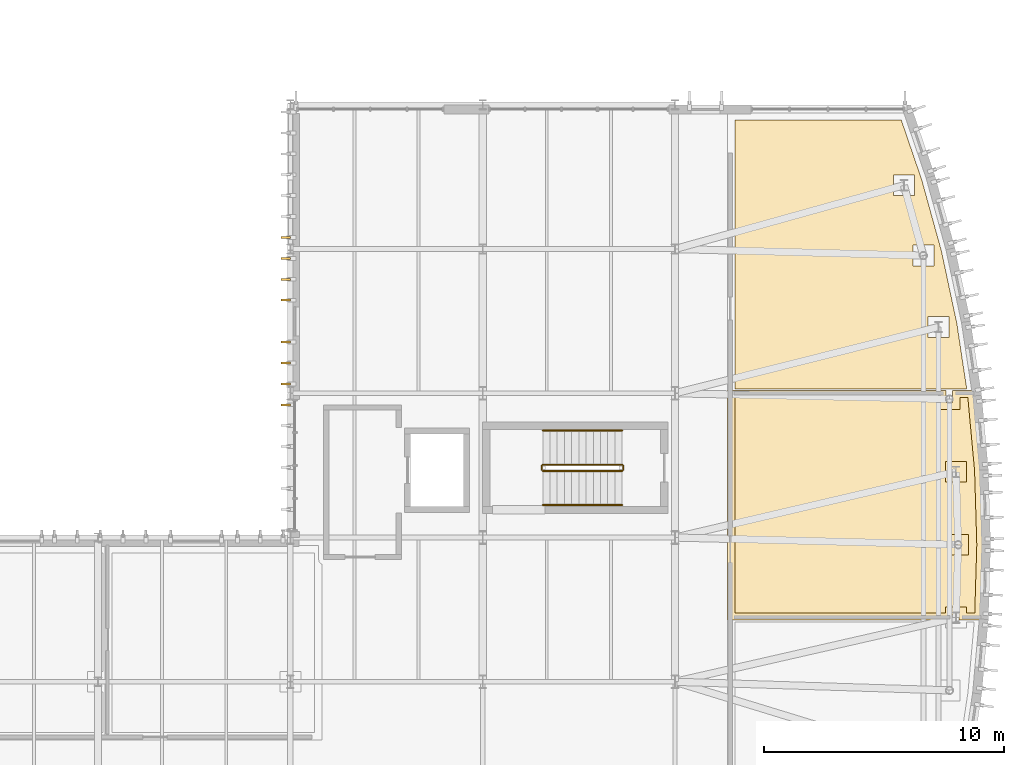
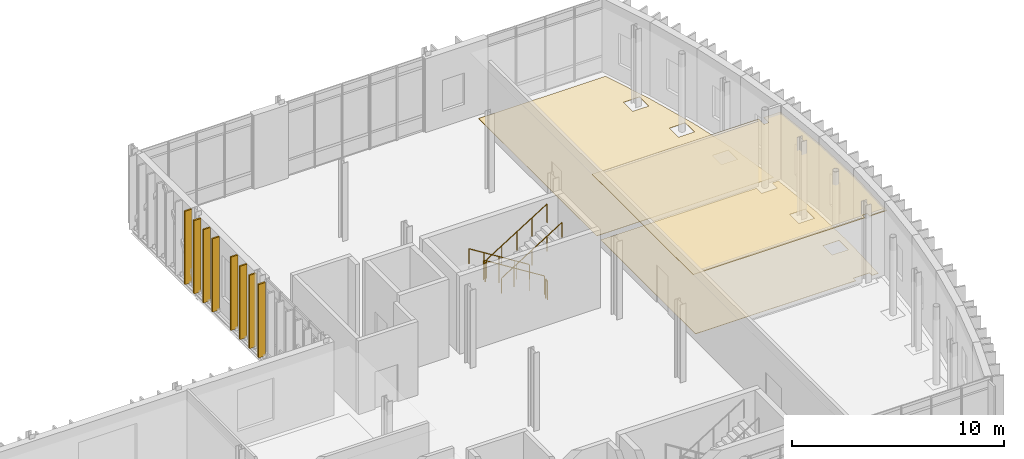
# One storey, part 99 of 100: 11 coverings, 6 railings.
"""IFC4 building model written with IfcOpenShell, lengths in metres."""

from ifc_helpers import new_model, si_unit, direction, frame, origin, origin_2d, place, context, subcontext, project, spatial, polyline, rectangle, circle, outline, extrude, material, layer, layer_set, type_object, element, save


model = new_model("IFC4")

# Units and contexts
model_context = context("Model", 3, precision=1e-05, world=origin(), true_north=direction((0.0, 1.0)))
body_context = subcontext(model_context, "Body", "Model", "MODEL_VIEW")
ifc_project = project(units=[si_unit("LENGTHUNIT", "METRE"), si_unit("AREAUNIT", "SQUARE_METRE"), si_unit("VOLUMEUNIT", "CUBIC_METRE"), si_unit("PLANEANGLEUNIT", "RADIAN"), si_unit("MASSUNIT", "GRAM", prefix="KILO")], contexts=[model_context])

# Site, building, storey
site_placement = place(None, origin())
site = spatial("IfcSite", under=ifc_project, at=site_placement, CompositionType="ELEMENT")
building_placement = place(site_placement, origin())
building = spatial("IfcBuilding", under=site, at=building_placement, Name="Cymarion Research Institute", CompositionType="ELEMENT")
storey_placement = place(building_placement, frame((0.0, 0.0, 9.300048828125)))
storey = spatial("IfcBuildingStorey", under=building, at=storey_placement, Name="L02", CompositionType="ELEMENT", Elevation=9.300048828125)

# Coverings
ifc_material_1 = material(Name="Micro-perforated mineral acoustic ceiling tile", Category="gypsum")
ifc_layer_1 = layer(ifc_material_1, 0.030029296875)
ifc_layer_set_1 = layer_set([ifc_layer_1], Name="Micro-perforated mineral acoustic ceiling tile")
covering_type_1 = type_object("IfcCoveringType", Name="ACOUSTIC MICRO-PERFORATED SUSPENDED CEILING CLG-01", PredefinedType="CEILING", material=ifc_layer_set_1)
covering_1_placement = place(storey_placement, frame((0.0, 0.0, 3.699951171875)))
element("IfcCovering", 1, at=covering_1_placement, inside=storey, type_object=covering_type_1, Name="L02 L02 Curved Prow Analytical Instrumentation Lab acoustic ceiling", PredefinedType="CEILING", context=body_context, shape_type="SweptSolid", body=[
    extrude(outline(polyline([(165.8779296875, 29.614990234375), (165.8779296875, 29.122314453125), (166.14794921875, 29.122314453125), (166.14794921875, 29.614990234375), (167.0517578125, 29.614990234375), (167.3583984375, 26.298583984375), (167.451416015625, 23.199951171875), (167.357421875, 20.06494140625), (166.42041015625, 20.06494140625), (166.42041015625, 20.301025390625), (166.150390625, 20.301025390625), (166.150390625, 20.06494140625), (156.784912109375, 20.06494140625), (156.784912109375, 29.614990234375), (165.8779296875, 29.614990234375)])), origin(), (0.0, 0.0, 1.0), 0.030029296875),
])
ifc_material_2 = material(Name="Precast concrete C45/55 architectural white", Category="concrete")
ifc_layer_2 = layer(ifc_material_2, 0.0849609375)
ifc_layer_set_2 = layer_set([ifc_layer_2], Name="Precast concrete C45/55 architectural white")
covering_type_2 = type_object("IfcCoveringType", Name="ARCHITECTURAL WHITE PRECAST CONCRETE VERTICAL FIN FIN3 380MM", PredefinedType="CLADDING", material=ifc_layer_set_2)
for number, where, z_axis, x_axis, name in (
    (2, (138.407958984375, 35.97998046875, 0.010009765625), (0.0, 0.0, 1.0), (-1.0, 0.0, 0.0), "L02 V1 white precast vertical fin FIN3 #270"),
    (3, (138.407958984375, 35.110107421875, 0.010009765625), (0.0, 0.0, 1.0), (-1.0, 0.0, 0.0), "L02 V1 white precast vertical fin FIN3 #271"),
    (4, (138.407958984375, 34.239990234375, 0.010009765625), (0.0, 0.0, 1.0), (-1.0, 0.0, 0.0), "L02 V1 white precast vertical fin FIN3 #272"),
    (5, (138.407958984375, 33.3701171875, 0.010009765625), (0.0, 0.0, 1.0), (-1.0, 0.0, 0.0), "L02 V1 white precast vertical fin FIN3 #273"),
    (6, (138.407958984375, 31.6298828125, 0.010009765625), (0.0, 0.0, 1.0), (-1.0, 0.0, 0.0), "L02 V1 white precast vertical fin FIN3 #274"),
    (7, (138.407958984375, 30.760009765625, 0.010009765625), (0.0, 0.0, 1.0), (-1.0, 0.0, 0.0), "L02 V1 white precast vertical fin FIN3 #275"),
    (8, (138.407958984375, 29.889892578125, 0.010009765625), (0.0, 0.0, 1.0), (-1.0, 0.0, 0.0), "L02 V1 white precast vertical fin FIN3 #276"),
    (9, (138.407958984375, 29.02001953125, 0.010009765625), (0.0, 0.0, 1.0), (-1.0, 0.0, 0.0), "L02 V1 white precast vertical fin FIN3 #277"),
):
    element("IfcCovering", number, at=place(storey_placement, frame(where, z_axis=z_axis, x_axis=x_axis)), inside=storey, type_object=covering_type_2, Name=name, PredefinedType="CLADDING", context=body_context, shape_type="SweptSolid", body=[
        extrude(rectangle(XDim=0.3798828125, YDim=0.0849609375, at=origin_2d()), origin(), (0.0, 0.0, 1.0), 4.22998046875),
    ])

# Railings
ifc_material_3 = material(Name="Steel S355", Category="steel")
railing_type_1 = type_object("IfcRailingType", Name="PAINTED STEEL STAIR GUARDRAIL GR1 1100MM", PredefinedType="GUARDRAIL", material=ifc_material_3)
railing_1_placement = place(storey_placement, frame((152.39990234375, 26.530029296875, 0.1875)))
element("IfcRailing", 10, at=railing_1_placement, inside=storey, type_object=railing_type_1, Name="L02 ST2 stair guard 1", PredefinedType="GUARDRAIL", context=body_context, shape_type="SweptSolid", body=[
    extrude(circle(Radius=0.02392578125, at=origin_2d()), frame((0.0, 0.0, 1.076171875), z_axis=(-0.847984204989, 0.0, 0.530021497762), x_axis=(0.0, -1.0, 0.0)), (0.0, 0.0, 1.0), 3.891357421875),
    extrude(circle(Radius=0.02099609375, at=origin_2d()), origin(), (0.0, 0.0, 1.0), 1.052001953125),
    extrude(circle(Radius=0.02099609375, at=origin_2d()), frame((-0.824951171875, 0.0, 0.515625)), (0.0, 0.0, 1.0), 1.052001953125),
    extrude(circle(Radius=0.02099609375, at=origin_2d()), frame((-1.64990234375, 0.0, 1.03125)), (0.0, 0.0, 1.0), 1.052001953125),
    extrude(circle(Radius=0.02099609375, at=origin_2d()), frame((-2.474853515625, 0.0, 1.546875)), (0.0, 0.0, 1.0), 1.052001953125),
    extrude(circle(Radius=0.02099609375, at=origin_2d()), frame((-3.2998046875, 0.0, 2.0625)), (0.0, 0.0, 1.0), 1.052001953125),
])
railing_2_placement = place(storey_placement, frame((149.050048828125, 26.47998046875, 2.25)))
element("IfcRailing", 11, at=railing_2_placement, inside=storey, type_object=railing_type_1, Name="L02 ST2 stair guard 2", PredefinedType="GUARDRAIL", context=body_context, shape_type="SweptSolid", body=[
    extrude(circle(Radius=0.02392578125, at=origin_2d()), frame((0.0, 0.0, 1.076171875), z_axis=(0.0, -1.0, 0.0), x_axis=(1.0, 0.0, 0.0)), (0.0, 0.0, 1.0), 0.159912109375),
    extrude(circle(Radius=0.02099609375, at=origin_2d()), origin(), (0.0, 0.0, 1.0), 1.052001953125),
    extrude(circle(Radius=0.02099609375, at=origin_2d()), frame((0.0, -0.159912109375, 0.0)), (0.0, 0.0, 1.0), 1.052001953125),
])
railing_3_placement = place(storey_placement, frame((149.10009765625, 26.27001953125, 2.4375)))
element("IfcRailing", 12, at=railing_3_placement, inside=storey, type_object=railing_type_1, Name="L02 ST2 stair guard 3", PredefinedType="GUARDRAIL", context=body_context, shape_type="SweptSolid", body=[
    extrude(circle(Radius=0.02392578125, at=origin_2d()), frame((0.0, 0.0, 1.076171875), z_axis=(0.847984204989, 0.0, 0.530021497762), x_axis=(0.0, 1.0, 0.0)), (0.0, 0.0, 1.0), 3.891357421875),
    extrude(circle(Radius=0.02099609375, at=origin_2d()), origin(), (0.0, 0.0, 1.0), 1.052001953125),
    extrude(circle(Radius=0.02099609375, at=origin_2d()), frame((0.824951171875, 0.0, 0.515625)), (0.0, 0.0, 1.0), 1.052001953125),
    extrude(circle(Radius=0.02099609375, at=origin_2d()), frame((1.64990234375, 0.0, 1.03125)), (0.0, 0.0, 1.0), 1.052001953125),
    extrude(circle(Radius=0.02099609375, at=origin_2d()), frame((2.474853515625, 0.0, 1.546875)), (0.0, 0.0, 1.0), 1.052001953125),
    extrude(circle(Radius=0.02099609375, at=origin_2d()), frame((3.2998046875, 0.0, 2.0625)), (0.0, 0.0, 1.0), 1.052001953125),
])
railing_4_placement = place(storey_placement, frame((152.449951171875, 26.47998046875, 0.0)))
element("IfcRailing", 13, at=railing_4_placement, inside=storey, type_object=railing_type_1, Name="L02 ST2 stair guard 4", PredefinedType="GUARDRAIL", context=body_context, shape_type="SweptSolid", body=[
    extrude(circle(Radius=0.02392578125, at=origin_2d()), frame((0.0, 0.0, 1.076171875), z_axis=(0.0, -1.0, 0.0), x_axis=(1.0, 0.0, 0.0)), (0.0, 0.0, 1.0), 0.159912109375),
    extrude(circle(Radius=0.02099609375, at=origin_2d()), origin(), (0.0, 0.0, 1.0), 1.052001953125),
    extrude(circle(Radius=0.02099609375, at=origin_2d()), frame((0.0, -0.159912109375, 0.0)), (0.0, 0.0, 1.0), 1.052001953125),
])

# Coverings
ifc_material_4 = material(Name="Seamless dissipative epoxy resin flooring", Category="resin")
ifc_layer_3 = layer(ifc_material_4, 0.02001953125)
ifc_layer_set_3 = layer_set([ifc_layer_3], Name="Seamless dissipative epoxy resin flooring")
covering_type_3 = type_object("IfcCoveringType", Name="SEAMLESS ESD EPOXY LABORATORY FLOORING FLR-01", PredefinedType="FLOORING", material=ifc_layer_set_3)
covering_2_placement = place(storey_placement, origin())
element("IfcCovering", 14, at=covering_2_placement, inside=storey, type_object=covering_type_3, Name="L02 L02 Curved Prow Analytical Instrumentation Lab ESD epoxy flooring", PredefinedType="FLOORING", context=body_context, shape_type="SweptSolid", body=[
    extrude(outline(polyline([(157.0849609375, 29.31494140625), (165.577880859375, 29.31494140625), (165.577880859375, 28.822265625), (166.447998046875, 28.822265625), (166.447998046875, 29.31494140625), (166.7783203125, 29.31494140625), (167.058837890625, 26.2802734375), (167.151123046875, 23.199951171875), (167.066162109375, 20.364990234375), (166.720458984375, 20.364990234375), (166.720458984375, 20.60107421875), (165.8505859375, 20.60107421875), (165.8505859375, 20.364990234375), (157.0849609375, 20.364990234375), (157.0849609375, 29.31494140625)]), holes=[polyline([(166.8115234375, 23.635009765625), (165.94140625, 23.635009765625), (165.94140625, 22.764892578125), (166.8115234375, 22.764892578125), (166.8115234375, 23.635009765625)]), polyline([(166.720458984375, 26.6689453125), (165.8505859375, 26.6689453125), (165.8505859375, 25.799072265625), (166.720458984375, 25.799072265625), (166.720458984375, 26.6689453125)])]), origin(), (0.0, 0.0, 1.0), 0.02001953125),
])
covering_3_placement = place(storey_placement, origin())
element("IfcCovering", 15, at=covering_3_placement, inside=storey, type_object=covering_type_3, Name="L02 L02 Prow Collaborative Reading Lounge ESD epoxy flooring", PredefinedType="FLOORING", context=body_context, shape_type="SweptSolid", body=[
    extrude(outline(polyline([(157.0849609375, 40.864990234375), (164.009521484375, 40.864990234375), (164.859130859375, 38.381591796875), (165.680419921875, 35.411376953125), (166.322021484375, 32.39697265625), (166.731689453125, 29.68505859375), (157.0849609375, 29.68505859375), (157.0849609375, 40.864990234375)]), holes=[polyline([(165.994873046875, 32.693603515625), (165.125, 32.693603515625), (165.125, 31.823486328125), (165.994873046875, 31.823486328125), (165.994873046875, 32.693603515625)]), polyline([(165.36279296875, 35.662353515625), (164.492919921875, 35.662353515625), (164.492919921875, 34.792236328125), (165.36279296875, 34.792236328125), (165.36279296875, 35.662353515625)]), polyline([(164.553955078125, 38.587890625), (163.68408203125, 38.587890625), (163.68408203125, 37.718017578125), (164.553955078125, 37.718017578125), (164.553955078125, 38.587890625)])]), origin(), (0.0, 0.0, 1.0), 0.02001953125),
])

# Railings
railing_type_2 = type_object("IfcRailingType", Name="STAINLESS STEEL STAIR HANDRAIL HR1 900MM", PredefinedType="HANDRAIL", material=ifc_material_3)
railing_5_placement = place(storey_placement, frame((152.39990234375, 27.949951171875, 0.1875)))
element("IfcRailing", 16, at=railing_5_placement, inside=storey, type_object=railing_type_2, Name="L02 ST2 stair handrail 1", PredefinedType="HANDRAIL", context=body_context, shape_type="SweptSolid", body=[
    extrude(circle(Radius=0.02392578125, at=origin_2d()), frame((0.0, 0.0, 0.8759765625), z_axis=(-0.847984204989, 0.0, 0.530021497762), x_axis=(0.0, -1.0, 0.0)), (0.0, 0.0, 1.0), 3.891357421875),
    extrude(circle(Radius=0.02099609375, at=origin_2d()), origin(), (0.0, 0.0, 1.0), 0.851806640625),
    extrude(circle(Radius=0.02099609375, at=origin_2d()), frame((-0.824951171875, 0.0, 0.515625)), (0.0, 0.0, 1.0), 0.851806640625),
    extrude(circle(Radius=0.02099609375, at=origin_2d()), frame((-1.64990234375, 0.0, 1.03125)), (0.0, 0.0, 1.0), 0.851806640625),
    extrude(circle(Radius=0.02099609375, at=origin_2d()), frame((-2.474853515625, 0.0, 1.546875)), (0.0, 0.0, 1.0), 0.851806640625),
    extrude(circle(Radius=0.02099609375, at=origin_2d()), frame((-3.2998046875, 0.0, 2.0625)), (0.0, 0.0, 1.0), 0.851806640625),
])
railing_6_placement = place(storey_placement, frame((149.10009765625, 24.85009765625, 2.4375)))
element("IfcRailing", 17, at=railing_6_placement, inside=storey, type_object=railing_type_2, Name="L02 ST2 stair handrail 2", PredefinedType="HANDRAIL", context=body_context, shape_type="SweptSolid", body=[
    extrude(circle(Radius=0.02392578125, at=origin_2d()), frame((0.0, 0.0, 0.8759765625), z_axis=(0.847984204989, 0.0, 0.530021497762), x_axis=(0.0, 1.0, 0.0)), (0.0, 0.0, 1.0), 3.891357421875),
    extrude(circle(Radius=0.02099609375, at=origin_2d()), origin(), (0.0, 0.0, 1.0), 0.851806640625),
    extrude(circle(Radius=0.02099609375, at=origin_2d()), frame((0.824951171875, 0.0, 0.515625)), (0.0, 0.0, 1.0), 0.851806640625),
    extrude(circle(Radius=0.02099609375, at=origin_2d()), frame((1.64990234375, 0.0, 1.03125)), (0.0, 0.0, 1.0), 0.851806640625),
    extrude(circle(Radius=0.02099609375, at=origin_2d()), frame((2.474853515625, 0.0, 1.546875)), (0.0, 0.0, 1.0), 0.851806640625),
    extrude(circle(Radius=0.02099609375, at=origin_2d()), frame((3.2998046875, 0.0, 2.0625)), (0.0, 0.0, 1.0), 0.851806640625),
])

save(model, "model.ifc")
